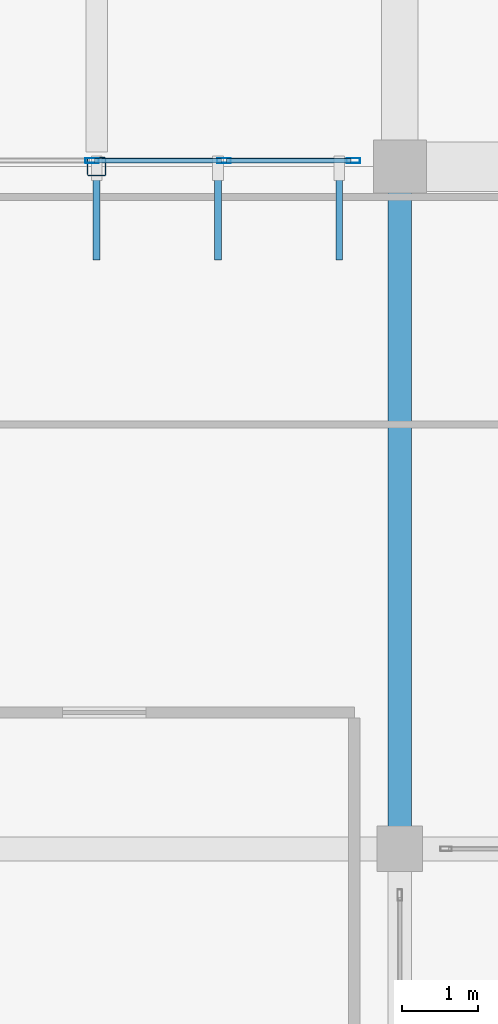
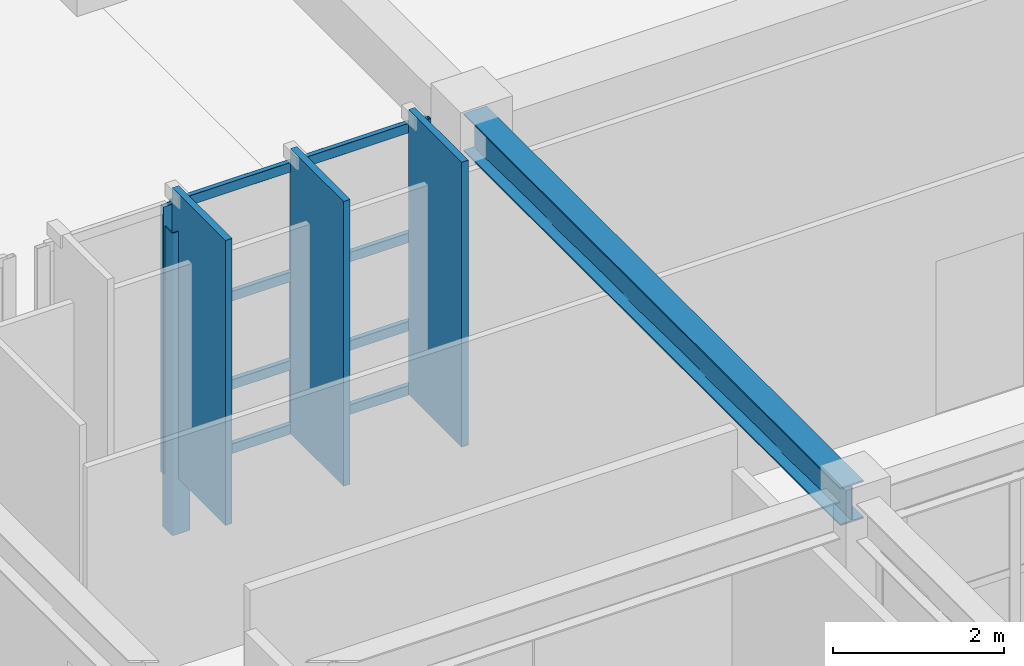
# One storey, part 26 of 110: 15 members, 1 beam, 1 element without a shape of its own.
"""IFC4 building model written with IfcOpenShell, lengths in metres."""

from ifc_helpers import new_model, si_unit, direction, frame, origin, origin_2d, place, context, subcontext, project, spatial, rectangle, hollow_rectangle, i_section, extrude, material, material_profile, profile_set, type_object, element, aggregate, save


model = new_model("IFC4")

# Units and contexts
model_context = context("Model", 3, precision=1e-05, world=origin(), true_north=direction((0.0, 1.0)))
body_context = subcontext(model_context, "Body", "Model", "MODEL_VIEW")
ifc_project = project(units=[si_unit("LENGTHUNIT", "METRE"), si_unit("AREAUNIT", "SQUARE_METRE"), si_unit("VOLUMEUNIT", "CUBIC_METRE"), si_unit("PLANEANGLEUNIT", "RADIAN"), si_unit("MASSUNIT", "GRAM", prefix="KILO")], contexts=[model_context])

# Site, building, storey
site_placement = place(None, origin())
site = spatial("IfcSite", under=ifc_project, at=site_placement, CompositionType="ELEMENT")
building_placement = place(site_placement, origin())
building = spatial("IfcBuilding", under=site, at=building_placement, Name="Miravela Opera House", CompositionType="ELEMENT")
storey_placement = place(building_placement, frame((0.0, 0.0, 13.60009765625)))
storey = spatial("IfcBuildingStorey", under=building, at=storey_placement, Name="L03", CompositionType="ELEMENT", Elevation=13.60009765625)

# Curtain wall, members
ifc_material_1 = material(Name="Anodised architectural bronze aluminium 6063-T6", Category="aluminium")
curtain_wall_type = type_object("IfcCurtainWallType", Name="ARC-CW-02", PredefinedType="NOTDEFINED", material=ifc_material_1)
curtain_wall_placement = place(storey_placement, origin())
curtain_wall = element("IfcCurtainWall", 1, at=curtain_wall_placement, inside=storey, type_object=curtain_wall_type, Name="Auditorium South Wrapper Glazing CW-L03-026", PredefinedType="NOTDEFINED")
ifc_material_profile_1 = material_profile(ifc_material_1, hollow_rectangle(XDim=0.06494140625, YDim=0.179931640625, WallThickness=0.00390625, InnerFilletRadius=0.001953125, OuterFilletRadius=0.00390625, at=origin_2d()), Name="CWM-65X180")
ifc_profile_set_1 = profile_set([ifc_material_profile_1])
member_type_1 = type_object("IfcMemberType", Name="ARC-CWM-180", PredefinedType="MULLION", material=ifc_profile_set_1)
member_1_placement = place(storey_placement, frame((22.93994140625, 37.080078125, 0.0), z_axis=(0.0, 0.0, 1.0), x_axis=(0.0, 1.0, 0.0)))
member_1 = element("IfcMember", 2, at=member_1_placement, type_object=member_type_1, Name="CW-02 mullion 2", PredefinedType="MULLION", context=body_context, shape_type="SweptSolid", body=[
    extrude(hollow_rectangle(XDim=0.06494140625, YDim=0.179931640625, WallThickness=0.00390625, InnerFilletRadius=0.001953125, OuterFilletRadius=0.00390625, at=origin_2d()), origin(), (0.0, 0.0, 1.0), 3.81982421875),
])
member_2_placement = place(storey_placement, frame((24.679931640625, 37.080078125, 0.0), z_axis=(0.0, 0.0, 1.0), x_axis=(0.0, 1.0, 0.0)))
member_2 = element("IfcMember", 3, at=member_2_placement, type_object=member_type_1, Name="CW-02 mullion 3", PredefinedType="MULLION", context=body_context, shape_type="SweptSolid", body=[
    extrude(hollow_rectangle(XDim=0.06494140625, YDim=0.179931640625, WallThickness=0.00390625, InnerFilletRadius=0.001953125, OuterFilletRadius=0.00390625, at=origin_2d()), origin(), (0.0, 0.0, 1.0), 3.81982421875),
])
member_3_placement = place(storey_placement, frame((26.387451171875, 37.080078125, 0.0), z_axis=(0.0, 0.0, 1.0), x_axis=(0.0, 1.0, 0.0)))
member_3 = element("IfcMember", 4, at=member_3_placement, type_object=member_type_1, Name="CW-02 mullion 4", PredefinedType="MULLION", context=body_context, shape_type="SweptSolid", body=[
    extrude(hollow_rectangle(XDim=0.06494140625, YDim=0.179931640625, WallThickness=0.00390625, InnerFilletRadius=0.001953125, OuterFilletRadius=0.00390625, at=origin_2d()), origin(), (0.0, 0.0, 1.0), 3.81982421875),
])
ifc_material_profile_2 = material_profile(ifc_material_1, hollow_rectangle(XDim=0.06494140625, YDim=0.139892578125, WallThickness=0.00390625, InnerFilletRadius=0.001953125, OuterFilletRadius=0.00390625, at=origin_2d()), Name="CWT-65X140")
ifc_profile_set_2 = profile_set([ifc_material_profile_2])
member_type_2 = type_object("IfcMemberType", Name="ARC-CWT-140", PredefinedType="USERDEFINED", material=ifc_profile_set_2)
member_4_placement = place(storey_placement, frame((22.972412109375, 37.080078125, 0.032470703125), z_axis=(1.0, 0.0, 0.0), x_axis=(0.0, 1.0, 0.0)))
member_4 = element("IfcMember", 5, at=member_4_placement, type_object=member_type_2, Name="CW-02 transom 2.1", ObjectType="TRANSOM", PredefinedType="USERDEFINED", context=body_context, shape_type="SweptSolid", body=[
    extrude(hollow_rectangle(XDim=0.06494140625, YDim=0.139892578125, WallThickness=0.00390625, InnerFilletRadius=0.001953125, OuterFilletRadius=0.00390625, at=origin_2d()), origin(), (0.0, 0.0, 1.0), 1.675048828125),
])
member_5_placement = place(storey_placement, frame((22.972412109375, 37.080078125, 0.949951171875), z_axis=(1.0, 0.0, 0.0), x_axis=(0.0, 1.0, 0.0)))
member_5 = element("IfcMember", 6, at=member_5_placement, type_object=member_type_2, Name="CW-02 transom 2.2", ObjectType="TRANSOM", PredefinedType="USERDEFINED", context=body_context, shape_type="SweptSolid", body=[
    extrude(hollow_rectangle(XDim=0.06494140625, YDim=0.139892578125, WallThickness=0.00390625, InnerFilletRadius=0.001953125, OuterFilletRadius=0.00390625, at=origin_2d()), origin(), (0.0, 0.0, 1.0), 1.675048828125),
])
member_6_placement = place(storey_placement, frame((22.972412109375, 37.080078125, 2.215576171875), z_axis=(1.0, 0.0, 0.0), x_axis=(0.0, 1.0, 0.0)))
member_6 = element("IfcMember", 7, at=member_6_placement, type_object=member_type_2, Name="CW-02 transom 2.3", ObjectType="TRANSOM", PredefinedType="USERDEFINED", context=body_context, shape_type="SweptSolid", body=[
    extrude(hollow_rectangle(XDim=0.06494140625, YDim=0.139892578125, WallThickness=0.00390625, InnerFilletRadius=0.001953125, OuterFilletRadius=0.00390625, at=origin_2d()), origin(), (0.0, 0.0, 1.0), 1.675048828125),
])
member_7_placement = place(storey_placement, frame((22.972412109375, 37.080078125, 3.787353515625), z_axis=(1.0, 0.0, 0.0), x_axis=(0.0, 1.0, 0.0)))
member_7 = element("IfcMember", 8, at=member_7_placement, type_object=member_type_2, Name="CW-02 transom 2.4", ObjectType="TRANSOM", PredefinedType="USERDEFINED", context=body_context, shape_type="SweptSolid", body=[
    extrude(hollow_rectangle(XDim=0.06494140625, YDim=0.139892578125, WallThickness=0.00390625, InnerFilletRadius=0.001953125, OuterFilletRadius=0.00390625, at=origin_2d()), origin(), (0.0, 0.0, 1.0), 1.675048828125),
])
member_8_placement = place(storey_placement, frame((24.71240234375, 37.080078125, 0.032470703125), z_axis=(1.0, 0.0, 0.0), x_axis=(0.0, 1.0, 0.0)))
member_8 = element("IfcMember", 9, at=member_8_placement, type_object=member_type_2, Name="CW-02 transom 3.1", ObjectType="TRANSOM", PredefinedType="USERDEFINED", context=body_context, shape_type="SweptSolid", body=[
    extrude(hollow_rectangle(XDim=0.06494140625, YDim=0.139892578125, WallThickness=0.00390625, InnerFilletRadius=0.001953125, OuterFilletRadius=0.00390625, at=origin_2d()), origin(), (0.0, 0.0, 1.0), 1.642578125),
])
member_9_placement = place(storey_placement, frame((24.71240234375, 37.080078125, 0.949951171875), z_axis=(1.0, 0.0, 0.0), x_axis=(0.0, 1.0, 0.0)))
member_9 = element("IfcMember", 10, at=member_9_placement, type_object=member_type_2, Name="CW-02 transom 3.2", ObjectType="TRANSOM", PredefinedType="USERDEFINED", context=body_context, shape_type="SweptSolid", body=[
    extrude(hollow_rectangle(XDim=0.06494140625, YDim=0.139892578125, WallThickness=0.00390625, InnerFilletRadius=0.001953125, OuterFilletRadius=0.00390625, at=origin_2d()), origin(), (0.0, 0.0, 1.0), 1.642578125),
])
member_10_placement = place(storey_placement, frame((24.71240234375, 37.080078125, 2.215576171875), z_axis=(1.0, 0.0, 0.0), x_axis=(0.0, 1.0, 0.0)))
member_10 = element("IfcMember", 11, at=member_10_placement, type_object=member_type_2, Name="CW-02 transom 3.3", ObjectType="TRANSOM", PredefinedType="USERDEFINED", context=body_context, shape_type="SweptSolid", body=[
    extrude(hollow_rectangle(XDim=0.06494140625, YDim=0.139892578125, WallThickness=0.00390625, InnerFilletRadius=0.001953125, OuterFilletRadius=0.00390625, at=origin_2d()), origin(), (0.0, 0.0, 1.0), 1.642578125),
])
member_11_placement = place(storey_placement, frame((24.71240234375, 37.080078125, 3.787353515625), z_axis=(1.0, 0.0, 0.0), x_axis=(0.0, 1.0, 0.0)))
member_11 = element("IfcMember", 12, at=member_11_placement, type_object=member_type_2, Name="CW-02 transom 3.4", ObjectType="TRANSOM", PredefinedType="USERDEFINED", context=body_context, shape_type="SweptSolid", body=[
    extrude(hollow_rectangle(XDim=0.06494140625, YDim=0.139892578125, WallThickness=0.00390625, InnerFilletRadius=0.001953125, OuterFilletRadius=0.00390625, at=origin_2d()), origin(), (0.0, 0.0, 1.0), 1.642578125),
])
aggregate(curtain_wall, [member_1, member_2, member_3, member_4, member_5, member_6, member_7, member_8, member_9, member_10, member_11])

# Members
ifc_material_profile_3 = material_profile(ifc_material_1, rectangle(XDim=0.090087890625, YDim=1.25, at=origin_2d()), Name="FIN-1250X90")
ifc_profile_set_3 = profile_set([ifc_material_profile_3])
member_type_3 = type_object("IfcMemberType", Name="ARC-FIN-1250", PredefinedType="USERDEFINED", material=ifc_profile_set_3)
for number, where, z_axis, x_axis, name in (
    (13, (23.0, 36.39501953125, 0.0), (0.0, 0.0, 1.0), (1.0, 0.0, 0.0), "Auditorium Wrapper Bronze Solar Fin FIN-L03-SOUTH-0068"),
    (14, (24.60009765625, 36.39501953125, 0.0), (0.0, 0.0, 1.0), (1.0, 0.0, 0.0), "Auditorium Wrapper Bronze Solar Fin FIN-L03-SOUTH-0070"),
    (15, (26.199951171875, 36.39501953125, 0.0), (0.0, 0.0, 1.0), (1.0, 0.0, 0.0), "Auditorium Wrapper Bronze Solar Fin FIN-L03-SOUTH-0072"),
):
    element("IfcMember", number, at=place(storey_placement, frame(where, z_axis=z_axis, x_axis=x_axis)), inside=storey, type_object=member_type_3, Name=name, ObjectType="FIN", PredefinedType="USERDEFINED", context=body_context, shape_type="SweptSolid", body=[
        extrude(rectangle(XDim=0.090087890625, YDim=1.25, at=origin_2d()), origin(), (0.0, 0.0, 1.0), 4.079833984375),
    ])

# Beam
ifc_material_2 = material(Name="Structural steel ASTM A992 Gr. 50", Category="steel")
ifc_material_profile_4 = material_profile(ifc_material_2, i_section(OverallWidth=0.31201171875, OverallDepth=0.54296875, WebThickness=0.0126953125, FlangeThickness=0.020263671875, FilletRadius=0.01611328125, at=origin_2d()), Name="W530X150")
ifc_profile_set_4 = profile_set([ifc_material_profile_4])
beam_type = type_object("IfcBeamType", Name="STR-BM-W530X150", PredefinedType="BEAM", material=ifc_profile_set_4)
beam_placement = place(storey_placement, frame((27.0, 28.080078125, 3.568359375), z_axis=(0.0, 1.0, 0.0), x_axis=(-1.0, 0.0, 0.0)))
element("IfcBeam", 16, at=beam_placement, inside=storey, type_object=beam_type, Name="Roof King-Post Transverse Tie Girder ROOF-V4-WEST-N T1.1", PredefinedType="BEAM", context=body_context, shape_type="SweptSolid", body=[
    extrude(i_section(OverallWidth=0.31201171875, OverallDepth=0.54296875, WebThickness=0.0126953125, FlangeThickness=0.020263671875, FilletRadius=0.01611328125, at=origin_2d()), origin(), (0.0, 0.0, 1.0), 8.83984375),
])

# Member
ifc_material_3 = material(Name="Hollow structural steel ASTM A500 Gr. C", Category="steel")
ifc_material_profile_5 = material_profile(ifc_material_3, hollow_rectangle(XDim=0.25, YDim=0.25, WallThickness=0.011962890625, InnerFilletRadius=0.011962890625, OuterFilletRadius=0.02392578125, at=origin_2d()), Name="HSS250X250X12")
ifc_profile_set_5 = profile_set([ifc_material_profile_5])
member_type_4 = type_object("IfcMemberType", Name="STR-MEM-CANT-POST2", PredefinedType="POST", material=ifc_profile_set_5)
member_12_placement = place(storey_placement, frame((23.0, 37.0, -0.793212890625), z_axis=(0.0, 0.0, 1.0), x_axis=(1.0, 0.0, 0.0)))
element("IfcMember", 17, at=member_12_placement, inside=storey, type_object=member_type_4, Name="Upper Wrapper Truss Post L03 X=23.0", PredefinedType="POST", context=body_context, shape_type="SweptSolid", body=[
    extrude(hollow_rectangle(XDim=0.25, YDim=0.25, WallThickness=0.011962890625, InnerFilletRadius=0.011962890625, OuterFilletRadius=0.02392578125, at=origin_2d()), origin(), (0.0, 0.0, 1.0), 4.3330078125),
])

save(model, "model.ifc")
